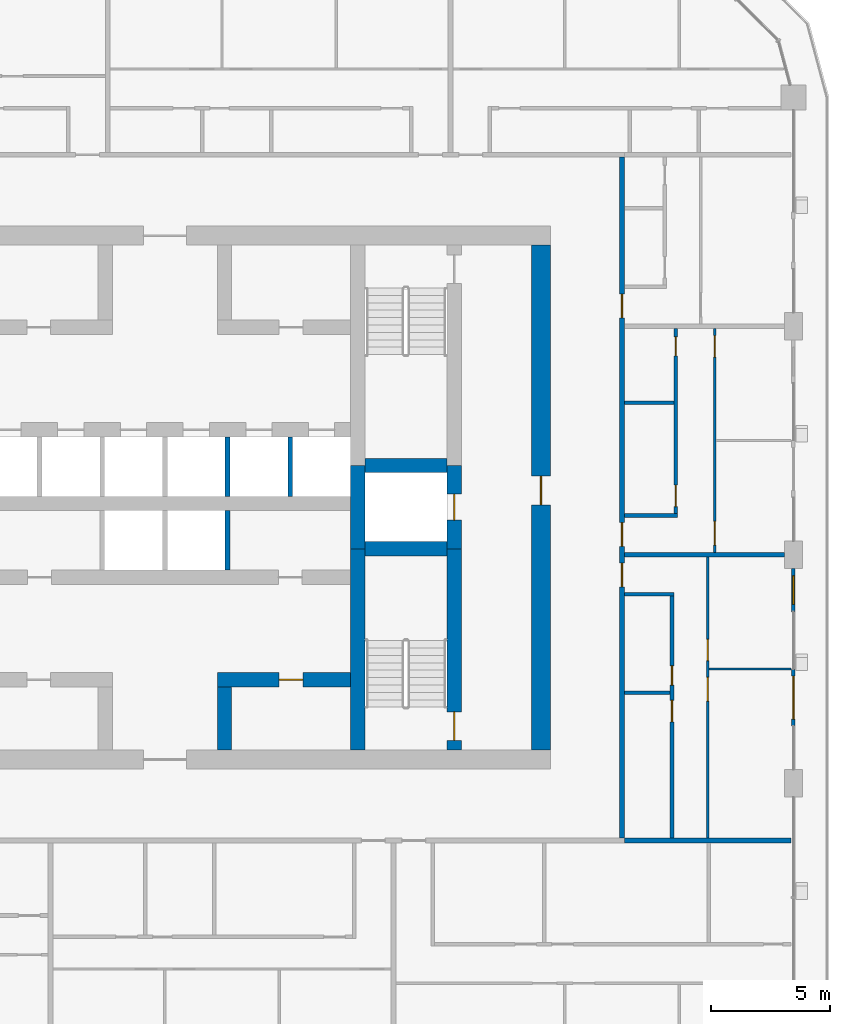
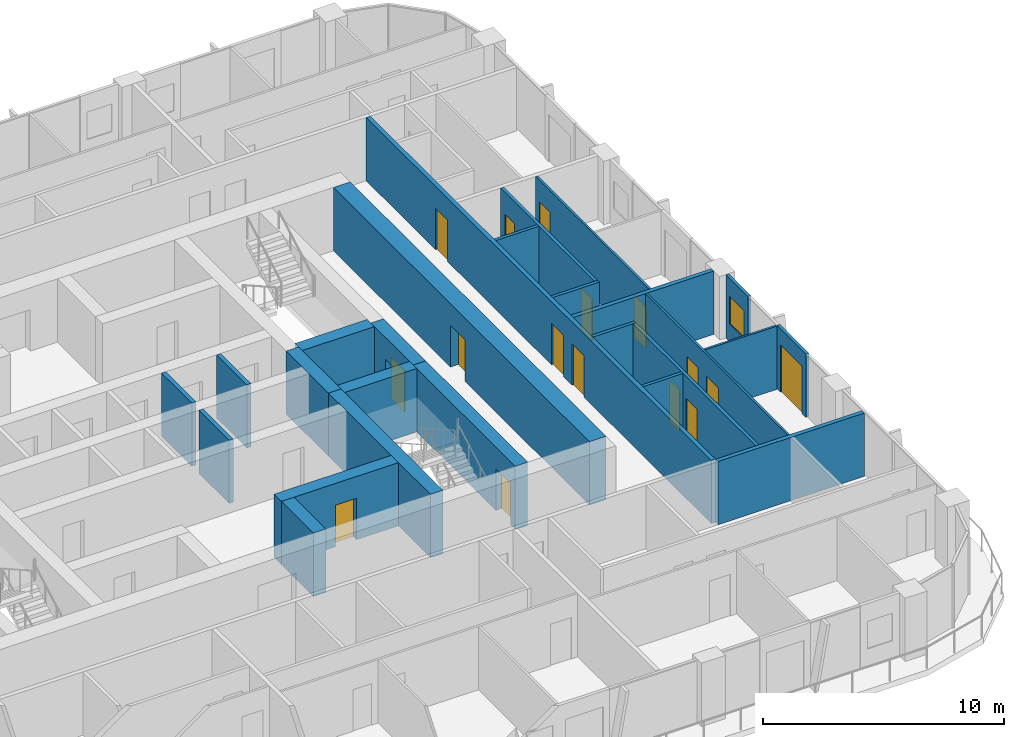
# One storey, part 12 of 22: 26 walls, 16 doors, 1 window, 17 openings.
"""IFC4 building model written with IfcOpenShell, lengths in metres."""

from ifc_helpers import new_model, si_unit, direction, frame, frame_2d, origin, place, context, subcontext, project, spatial, rectangle, extrude, material, layer, layer_set, type_object, element, fill, save


model = new_model("IFC4")

# Units and contexts
model_context = context("Model", 3, precision=1e-05, world=origin(), true_north=direction((0.0, 1.0)))
body_context = subcontext(model_context, "Body", "Model", "MODEL_VIEW")
ifc_project = project(units=[si_unit("LENGTHUNIT", "METRE"), si_unit("AREAUNIT", "SQUARE_METRE"), si_unit("VOLUMEUNIT", "CUBIC_METRE"), si_unit("PLANEANGLEUNIT", "RADIAN"), si_unit("MASSUNIT", "GRAM", prefix="KILO")], contexts=[model_context])

# Site, building, storey
site_placement = place(None, origin())
site = spatial("IfcSite", under=ifc_project, at=site_placement, CompositionType="ELEMENT")
building_placement = place(site_placement, origin())
building = spatial("IfcBuilding", under=site, at=building_placement, Name="Madar Terraces", CompositionType="ELEMENT")
storey_placement = place(building_placement, frame((0.0, 0.0, 152.5)))
storey = spatial("IfcBuildingStorey", under=building, at=storey_placement, Name="L39", CompositionType="ELEMENT", Elevation=152.5)

# Walls
ifc_material_1 = material(Name="Concrete C70/85", Category="concrete")
ifc_layer_1 = layer(ifc_material_1, 0.60009765625)
ifc_layer_set_1 = layer_set([ifc_layer_1], Name="Concrete C70/85 (CIW3 RC wall 600)")
wall_type_1 = type_object("IfcWallType", Name="CIW3 RC wall 600", PredefinedType="SHEAR", material=ifc_layer_set_1)
wall_1_placement = place(storey_placement, frame((39.300048828125, 15.800048828125, 0.0), z_axis=(0.0, 0.0, 1.0), x_axis=(0.0, 1.0, 0.0)))
element("IfcWall", 1, at=wall_1_placement, inside=storey, type_object=wall_type_1, Name="CORE SHAFT WALL", PredefinedType="SHEAR", context=body_context, shape_type="SweptSolid", body=[
    extrude(rectangle(XDim=8.449951171875, YDim=0.60009765625, at=frame_2d((4.22509765625, 0.0))), origin(), (0.0, 0.0, 1.0), 3.199951171875),
])
wall_2_placement = place(storey_placement, frame((39.300048828125, 24.25, 0.0), z_axis=(0.0, 0.0, 1.0), x_axis=(0.0, 1.0, 0.0)))
element("IfcWall", 2, at=wall_2_placement, inside=storey, type_object=wall_type_1, Name="CORE SHAFT WALL", PredefinedType="SHEAR", context=body_context, shape_type="SweptSolid", body=[
    extrude(rectangle(XDim=3.5, YDim=0.60009765625, at=frame_2d((1.75, 0.0))), origin(), (0.0, 0.0, 1.0), 3.199951171875),
])

# Wall, opening, door
wall_3_placement = place(storey_placement, frame((43.35009765625, 15.800048828125, 0.0), z_axis=(0.0, 0.0, 1.0), x_axis=(0.0, 1.0, 0.0)))
wall_3 = element("IfcWall", 3, at=wall_3_placement, inside=storey, type_object=wall_type_1, Name="CORE SHAFT WALL", PredefinedType="SHEAR", context=body_context, shape_type="SweptSolid", body=[
    extrude(rectangle(XDim=8.449951171875, YDim=0.60009765625, at=frame_2d((4.22509765625, 0.0))), origin(), (0.0, 0.0, 1.0), 3.199951171875),
])
opening_1_placement = place(wall_3_placement, frame((0.39990234375, 0.0, 0.0)))
opening_1 = element("IfcOpeningElement", 4, at=opening_1_placement, cuts=wall_3, Name="Opening SD1", PredefinedType="OPENING", context=body_context, shape_type="SweptSolid", body=[
    extrude(rectangle(XDim=1.199951171875, YDim=2.10009765625, at=frame_2d((0.60009765625, 1.050048828125))), frame((0.0, 0.31005859375, 0.0), z_axis=(0.0, -1.0, 0.0), x_axis=(1.0, 0.0, 0.0)), (0.0, 0.0, 1.0), 0.6201171875),
])
ifc_material_2 = material(Name="Steel door leaf", Category="steel")
door_type_1 = type_object("IfcDoorType", Name="Stair door 1200 x 2100", OperationType="NOTDEFINED", PredefinedType="DOOR", material=ifc_material_2)
door_1_placement = place(opening_1_placement, origin())
door_1 = element("IfcDoor", 5, at=door_1_placement, inside=storey, type_object=door_type_1, Name="STAIR DOOR", OperationType="SINGLE_SWING_RIGHT", OverallHeight=2.10009765625, OverallWidth=1.199951171875, PredefinedType="DOOR", context=body_context, shape_type="SweptSolid", body=[
    extrude(rectangle(XDim=1.199951171875, YDim=2.10009765625, at=frame_2d((0.60009765625, 1.050048828125))), frame((0.0, 0.02490234375, 0.0), z_axis=(0.0, -1.0, 0.0), x_axis=(1.0, 0.0, 0.0)), (0.0, 0.0, 1.0), 0.050048828125),
])
fill(opening_1, door_1)

wall_4_placement = place(storey_placement, frame((43.35009765625, 24.25, 0.0), z_axis=(0.0, 0.0, 1.0), x_axis=(0.0, 1.0, 0.0)))
wall_4 = element("IfcWall", 6, at=wall_4_placement, inside=storey, type_object=wall_type_1, Name="CORE SHAFT WALL", PredefinedType="SHEAR", context=body_context, shape_type="SweptSolid", body=[
    extrude(rectangle(XDim=3.5, YDim=0.60009765625, at=frame_2d((1.75, 0.0))), origin(), (0.0, 0.0, 1.0), 3.199951171875),
])
opening_2_placement = place(wall_4_placement, frame((1.199951171875, 0.0, 0.0)))
opening_2 = element("IfcOpeningElement", 7, at=opening_2_placement, cuts=wall_4, Name="Opening LD", PredefinedType="OPENING", context=body_context, shape_type="SweptSolid", body=[
    extrude(rectangle(XDim=1.10009765625, YDim=2.10009765625, at=frame_2d((0.550048828125, 1.050048828125))), frame((0.0, 0.31005859375, 0.0), z_axis=(0.0, -1.0, 0.0), x_axis=(1.0, 0.0, 0.0)), (0.0, 0.0, 1.0), 0.6201171875),
])
ifc_material_3 = material(Name="Stainless steel panel", Category="steel")
door_type_2 = type_object("IfcDoorType", Name="Lift landing door 1100 x 2100", OperationType="DOUBLE_DOOR_SLIDING", PredefinedType="DOOR", material=ifc_material_3)
door_2_placement = place(opening_2_placement, origin())
door_2 = element("IfcDoor", 8, at=door_2_placement, inside=storey, type_object=door_type_2, Name="LIFT LANDING DOOR", OperationType="DOUBLE_DOOR_SLIDING", OverallHeight=2.10009765625, OverallWidth=1.10009765625, PredefinedType="DOOR", context=body_context, shape_type="SweptSolid", body=[
    extrude(rectangle(XDim=1.10009765625, YDim=2.10009765625, at=frame_2d((0.550048828125, 1.050048828125))), frame((0.0, 0.02490234375, 0.0), z_axis=(0.0, -1.0, 0.0), x_axis=(1.0, 0.0, 0.0)), (0.0, 0.0, 1.0), 0.050048828125),
])
fill(opening_2, door_2)

# Walls
for number, where, z_axis, x_axis, name in (
    (9, (39.60009765625, 24.25, 0.0), (0.0, 0.0, 1.0), (1.0, 0.0, 0.0), "CORE SHAFT WALL"),
    (10, (39.60009765625, 27.75, 0.0), (0.0, 0.0, 1.0), (1.0, 0.0, 0.0), "CORE SHAFT WALL"),
):
    element("IfcWall", number, at=place(storey_placement, frame(where, z_axis=z_axis, x_axis=x_axis)), inside=storey, type_object=wall_type_1, Name=name, PredefinedType="SHEAR", context=body_context, shape_type="SweptSolid", body=[
        extrude(rectangle(XDim=3.449951171875, YDim=0.60009765625, at=frame_2d((1.72509765625, 0.0))), origin(), (0.0, 0.0, 1.0), 3.199951171875),
    ])

# Wall, opening, door
wall_5_placement = place(storey_placement, frame((33.39990234375, 18.75, 0.0), z_axis=(0.0, 0.0, 1.0), x_axis=(1.0, 0.0, 0.0)))
wall_5 = element("IfcWall", 11, at=wall_5_placement, inside=storey, type_object=wall_type_1, Name="CORE SHAFT WALL", PredefinedType="SHEAR", context=body_context, shape_type="SweptSolid", body=[
    extrude(rectangle(XDim=5.60009765625, YDim=0.60009765625, at=frame_2d((2.800048828125, 0.0))), origin(), (0.0, 0.0, 1.0), 3.199951171875),
])
opening_3_placement = place(wall_5_placement, frame((2.60009765625, 0.0, 0.0)))
opening_3 = element("IfcOpeningElement", 12, at=opening_3_placement, cuts=wall_5, Name="Opening KD2", PredefinedType="OPENING", context=body_context, shape_type="SweptSolid", body=[
    extrude(rectangle(XDim=1.0, YDim=2.10009765625, at=frame_2d((0.5, 1.050048828125))), frame((0.0, 0.31005859375, 0.0), z_axis=(0.0, -1.0, 0.0), x_axis=(1.0, 0.0, 0.0)), (0.0, 0.0, 1.0), 0.6201171875),
])
ifc_material_4 = material(Name="Steel door leaf", Category="steel")
door_type_3 = type_object("IfcDoorType", Name="Service room door 1000 x 2100", OperationType="NOTDEFINED", PredefinedType="DOOR", material=ifc_material_4)
door_3_placement = place(opening_3_placement, origin())
door_3 = element("IfcDoor", 13, at=door_3_placement, inside=storey, type_object=door_type_3, Name="SERVICE ROOM DOOR", OperationType="SINGLE_SWING_LEFT", OverallHeight=2.10009765625, OverallWidth=1.0, PredefinedType="DOOR", context=body_context, shape_type="SweptSolid", body=[
    extrude(rectangle(XDim=1.0, YDim=2.10009765625, at=frame_2d((0.5, 1.050048828125))), frame((0.0, 0.02490234375, 0.0), z_axis=(0.0, -1.0, 0.0), x_axis=(1.0, 0.0, 0.0)), (0.0, 0.0, 1.0), 0.050048828125),
])
fill(opening_3, door_3)

# Wall
wall_6_placement = place(storey_placement, frame((33.699951171875, 15.800048828125, 0.0), z_axis=(0.0, 0.0, 1.0), x_axis=(0.0, 1.0, 0.0)))
element("IfcWall", 14, at=wall_6_placement, inside=storey, type_object=wall_type_1, Name="CORE SHAFT WALL", PredefinedType="SHEAR", context=body_context, shape_type="SweptSolid", body=[
    extrude(rectangle(XDim=2.64990234375, YDim=0.60009765625, at=frame_2d((1.324951171875, 0.0))), origin(), (0.0, 0.0, 1.0), 3.199951171875),
])

# Wall, opening, door
ifc_material_5 = material(Name="Concrete C70/85", Category="concrete")
ifc_layer_2 = layer(ifc_material_5, 0.800048828125)
ifc_layer_set_2 = layer_set([ifc_layer_2], Name="Concrete C70/85 (CRW3 RC wall 800)")
wall_type_2 = type_object("IfcWallType", Name="CRW3 RC wall 800", PredefinedType="SHEAR", material=ifc_layer_set_2)
wall_7_placement = place(storey_placement, frame((47.0, 15.800048828125, 0.0), z_axis=(0.0, 0.0, 1.0), x_axis=(0.0, 1.0, 0.0)))
wall_7 = element("IfcWall", 15, at=wall_7_placement, inside=storey, type_object=wall_type_2, Name="CORE OUTER WALL", PredefinedType="SHEAR", context=body_context, shape_type="SweptSolid", body=[
    extrude(rectangle(XDim=21.199951171875, YDim=0.800048828125, at=frame_2d((10.60009765625, 0.0))), origin(), (0.0, 0.0, 1.0), 3.199951171875),
])
opening_4_placement = place(wall_7_placement, frame((10.300048828125, 0.0, 0.0)))
opening_4 = element("IfcOpeningElement", 16, at=opening_4_placement, cuts=wall_7, Name="Opening SD1", PredefinedType="OPENING", context=body_context, shape_type="SweptSolid", body=[
    extrude(rectangle(XDim=1.199951171875, YDim=2.10009765625, at=frame_2d((0.60009765625, 1.050048828125))), frame((0.0, 0.409912109375, 0.0), z_axis=(0.0, -1.0, 0.0), x_axis=(1.0, 0.0, 0.0)), (0.0, 0.0, 1.0), 0.820068359375),
])
door_4_placement = place(opening_4_placement, origin())
door_4 = element("IfcDoor", 17, at=door_4_placement, inside=storey, type_object=door_type_1, Name="STAIR DOOR", OperationType="SINGLE_SWING_LEFT", OverallHeight=2.10009765625, OverallWidth=1.199951171875, PredefinedType="DOOR", context=body_context, shape_type="SweptSolid", body=[
    extrude(rectangle(XDim=1.199951171875, YDim=2.10009765625, at=frame_2d((0.60009765625, 1.050048828125))), frame((0.0, 0.02490234375, 0.0), z_axis=(0.0, -1.0, 0.0), x_axis=(1.0, 0.0, 0.0)), (0.0, 0.0, 1.0), 0.050048828125),
])
fill(opening_4, door_4)

# Walls
ifc_material_6 = material(Name="Concrete C40/50", Category="concrete")
ifc_layer_3 = layer(ifc_material_6, 0.199951171875)
ifc_layer_set_3 = layer_set([ifc_layer_3], Name="Core shaft dividing wall 200 C40/50")
wall_type_3 = type_object("IfcWallType", Name="Core shaft dividing wall 200 C40/50", PredefinedType="SOLIDWALL", material=ifc_layer_set_3)
for number, where, z_axis, x_axis, name in (
    (18, (33.833251953125, 23.35009765625, 0.0), (0.0, 0.0, 1.0), (0.0, 1.0, 0.0), "SHAFT DIVIDING WALL"),
    (19, (33.833251953125, 26.449951171875, 0.0), (0.0, 0.0, 1.0), (0.0, 1.0, 0.0), "SHAFT DIVIDING WALL"),
    (20, (36.466552734375, 26.449951171875, 0.0), (0.0, 0.0, 1.0), (0.0, 1.0, 0.0), "SHAFT DIVIDING WALL"),
):
    element("IfcWall", number, at=place(storey_placement, frame(where, z_axis=z_axis, x_axis=x_axis)), inside=storey, type_object=wall_type_3, Name=name, PredefinedType="SOLIDWALL", context=body_context, shape_type="SweptSolid", body=[
        extrude(rectangle(XDim=2.5, YDim=0.199951171875, at=frame_2d((1.25, 0.0))), origin(), (0.0, 0.0, 1.0), 3.199951171875),
    ])

# Wall, opening, door
ifc_material_7 = material(Name="Aluminium composite panel, black, over insulated backing", Category="aluminium")
ifc_layer_4 = layer(ifc_material_7, 0.14990234375)
ifc_layer_set_4 = layer_set([ifc_layer_4], Name="Facade bay panel 150")
wall_type_4 = type_object("IfcWallType", Name="Facade bay panel 150", PredefinedType="SOLIDWALL", material=ifc_layer_set_4)
wall_8_placement = place(storey_placement, frame((57.60009765625, 16.800048828125, 0.0), z_axis=(0.0, 0.0, 1.0), x_axis=(0.0, 1.0, 0.0)))
wall_8 = element("IfcWall", 21, at=wall_8_placement, inside=storey, type_object=wall_type_4, Name="Facade bay panel", PredefinedType="SOLIDWALL", context=body_context, shape_type="SweptSolid", body=[
    extrude(rectangle(XDim=2.39990234375, YDim=0.14990234375, at=frame_2d((1.199951171875, 0.0))), origin(), (0.0, 0.0, 1.0), 3.199951171875),
])
opening_5_placement = place(wall_8_placement, frame((0.300048828125, 0.0, 0.0)))
opening_5 = element("IfcOpeningElement", 22, at=opening_5_placement, cuts=wall_8, Name="Opening ED1", PredefinedType="OPENING", context=body_context, shape_type="SweptSolid", body=[
    extrude(rectangle(XDim=1.800048828125, YDim=2.39990234375, at=frame_2d((0.89990234375, 1.199951171875))), frame((0.0, 0.0849609375, 0.0), z_axis=(0.0, -1.0, 0.0), x_axis=(1.0, 0.0, 0.0)), (0.0, 0.0, 1.0), 0.169921875),
])
ifc_material_8 = material(Name="Glass, clear, with black aluminium frame", Category="aluminium")
door_type_4 = type_object("IfcDoorType", Name="Balcony and terrace sliding door 1800 x 2400", OperationType="SLIDING_TO_LEFT", PredefinedType="DOOR", material=ifc_material_8)
door_5_placement = place(opening_5_placement, origin())
door_5 = element("IfcDoor", 23, at=door_5_placement, inside=storey, type_object=door_type_4, Name="Balcony door", OperationType="SLIDING_TO_LEFT", OverallHeight=2.39990234375, OverallWidth=1.800048828125, PredefinedType="DOOR", context=body_context, shape_type="SweptSolid", body=[
    extrude(rectangle(XDim=1.800048828125, YDim=2.39990234375, at=frame_2d((0.89990234375, 1.199951171875))), frame((0.0, 0.02490234375, 0.0), z_axis=(0.0, -1.0, 0.0), x_axis=(1.0, 0.0, 0.0)), (0.0, 0.0, 1.0), 0.050048828125),
])
fill(opening_5, door_5)

# Wall, opening, window
wall_9_placement = place(storey_placement, frame((57.60009765625, 21.60009765625, 0.0), z_axis=(0.0, 0.0, 1.0), x_axis=(0.0, 1.0, 0.0)))
wall_9 = element("IfcWall", 24, at=wall_9_placement, inside=storey, type_object=wall_type_4, Name="Facade bay panel", PredefinedType="SOLIDWALL", context=body_context, shape_type="SweptSolid", body=[
    extrude(rectangle(XDim=1.824951171875, YDim=0.14990234375, at=frame_2d((0.91259765625, 0.0))), origin(), (0.0, 0.0, 1.0), 3.199951171875),
])
opening_6_placement = place(wall_9_placement, frame((0.3125, 0.0, 0.89990234375)))
opening_6 = element("IfcOpeningElement", 25, at=opening_6_placement, cuts=wall_9, Name="Opening W1", PredefinedType="OPENING", context=body_context, shape_type="SweptSolid", body=[
    extrude(rectangle(XDim=1.199951171875, YDim=1.39990234375, at=frame_2d((0.60009765625, 0.699951171875))), frame((0.0, 0.0849609375, 0.0), z_axis=(0.0, -1.0, 0.0), x_axis=(1.0, 0.0, 0.0)), (0.0, 0.0, 1.0), 0.169921875),
])
ifc_material_9 = material(Name="Glass, clear, with black aluminium frame", Category="aluminium")
window_type = type_object("IfcWindowType", Name="Vent window 1200 x 1400", PartitioningType="SINGLE_PANEL", PredefinedType="WINDOW", material=ifc_material_9)
window_placement = place(opening_6_placement, origin())
window = element("IfcWindow", 26, at=window_placement, inside=storey, type_object=window_type, Name="Operable vent window", OverallHeight=1.39990234375, OverallWidth=1.199951171875, PartitioningType="SINGLE_PANEL", PredefinedType="WINDOW", context=body_context, shape_type="SweptSolid", body=[
    extrude(rectangle(XDim=1.199951171875, YDim=1.39990234375, at=frame_2d((0.60009765625, 0.699951171875))), frame((0.0, 0.030029296875, 0.0), z_axis=(0.0, -1.0, 0.0), x_axis=(1.0, 0.0, 0.0)), (0.0, 0.0, 1.0), 0.06005859375),
])
fill(opening_6, window)

# Wall
ifc_material_10 = material(Name="Gypsum board on steel studs", Category="steel")
ifc_layer_5 = layer(ifc_material_10, 0.10009765625)
ifc_layer_set_5 = layer_set([ifc_layer_5], Name="Flat partition 100")
wall_type_5 = type_object("IfcWallType", Name="Flat partition 100", PredefinedType="PARTITIONING", material=ifc_layer_set_5)
wall_10_placement = place(storey_placement, frame((54.050048828125, 19.199951171875, 0.0), z_axis=(0.0, 0.0, 1.0), x_axis=(1.0, 0.0, 0.0)))
element("IfcWall", 27, at=wall_10_placement, inside=storey, type_object=wall_type_5, Name="Flat partition 100", PredefinedType="PARTITIONING", context=body_context, shape_type="SweptSolid", body=[
    extrude(rectangle(XDim=3.449951171875, YDim=0.10009765625, at=frame_2d((1.72509765625, 0.0))), origin(), (0.0, 0.0, 1.0), 3.199951171875),
])

# Wall, openings, doors
wall_11_placement = place(storey_placement, frame((54.0, 23.89990234375, 0.0), z_axis=(0.0, 0.0, 1.0), x_axis=(0.0, -1.0, 0.0)))
wall_11 = element("IfcWall", 28, at=wall_11_placement, inside=storey, type_object=wall_type_5, Name="Flat partition 100", PredefinedType="PARTITIONING", context=body_context, shape_type="SweptSolid", body=[
    extrude(rectangle(XDim=11.7998046875, YDim=0.10009765625, at=frame_2d((5.89990234375, 0.0))), origin(), (0.0, 0.0, 1.0), 3.199951171875),
])
opening_7_placement = place(wall_11_placement, frame((3.449951171875, 0.0, 0.0)))
opening_7 = element("IfcOpeningElement", 29, at=opening_7_placement, cuts=wall_11, Name="Opening D2", PredefinedType="OPENING", context=body_context, shape_type="SweptSolid", body=[
    extrude(rectangle(XDim=0.89990234375, YDim=2.10009765625, at=frame_2d((0.449951171875, 1.050048828125))), frame((0.0, 0.06005859375, 0.0), z_axis=(0.0, -1.0, 0.0), x_axis=(1.0, 0.0, 0.0)), (0.0, 0.0, 1.0), 0.1201171875),
])
opening_8_placement = place(wall_11_placement, frame((5.050048828125, 0.0, 0.0)))
opening_8 = element("IfcOpeningElement", 30, at=opening_8_placement, cuts=wall_11, Name="Opening D3", PredefinedType="OPENING", context=body_context, shape_type="SweptSolid", body=[
    extrude(rectangle(XDim=1.0, YDim=2.10009765625, at=frame_2d((0.5, 1.050048828125))), frame((0.0, 0.06005859375, 0.0), z_axis=(0.0, -1.0, 0.0), x_axis=(1.0, 0.0, 0.0)), (0.0, 0.0, 1.0), 0.1201171875),
])
ifc_material_11 = material(Name="Timber door leaf", Category="wood")
door_type_5 = type_object("IfcDoorType", Name="Flat living room door 1000", OperationType="NOTDEFINED", PredefinedType="DOOR", material=ifc_material_11)
door_6_placement = place(opening_8_placement, origin())
door_6 = element("IfcDoor", 31, at=door_6_placement, inside=storey, type_object=door_type_5, Name="Flat living room door 1000", OperationType="SINGLE_SWING_LEFT", OverallHeight=2.10009765625, OverallWidth=1.0, PredefinedType="DOOR", context=body_context, shape_type="SweptSolid", body=[
    extrude(rectangle(XDim=1.0, YDim=2.10009765625, at=frame_2d((0.5, 1.050048828125))), frame((0.0, 0.02490234375, 0.0), z_axis=(0.0, -1.0, 0.0), x_axis=(1.0, 0.0, 0.0)), (0.0, 0.0, 1.0), 0.050048828125),
])
fill(opening_8, door_6)
ifc_material_12 = material(Name="Timber door leaf", Category="wood")
door_type_6 = type_object("IfcDoorType", Name="Flat room door 900", OperationType="NOTDEFINED", PredefinedType="DOOR", material=ifc_material_12)
door_7_placement = place(opening_7_placement, origin())
door_7 = element("IfcDoor", 32, at=door_7_placement, inside=storey, type_object=door_type_6, Name="Flat room door 900", OperationType="SINGLE_SWING_RIGHT", OverallHeight=2.10009765625, OverallWidth=0.89990234375, PredefinedType="DOOR", context=body_context, shape_type="SweptSolid", body=[
    extrude(rectangle(XDim=0.89990234375, YDim=2.10009765625, at=frame_2d((0.449951171875, 1.050048828125))), frame((0.0, 0.02490234375, 0.0), z_axis=(0.0, -1.0, 0.0), x_axis=(1.0, 0.0, 0.0)), (0.0, 0.0, 1.0), 0.050048828125),
])
fill(opening_7, door_7)

wall_12_placement = place(storey_placement, frame((54.300048828125, 33.5, 0.0), z_axis=(0.0, 0.0, 1.0), x_axis=(0.0, -1.0, 0.0)))
wall_12 = element("IfcWall", 33, at=wall_12_placement, inside=storey, type_object=wall_type_5, Name="Flat partition 100", PredefinedType="PARTITIONING", context=body_context, shape_type="SweptSolid", body=[
    extrude(rectangle(XDim=9.39990234375, YDim=0.10009765625, at=frame_2d((4.699951171875, 0.0))), origin(), (0.0, 0.0, 1.0), 3.199951171875),
])
opening_9_placement = place(wall_12_placement, frame((8.10009765625, 0.0, 0.0)))
opening_9 = element("IfcOpeningElement", 34, at=opening_9_placement, cuts=wall_12, Name="Opening D3", PredefinedType="OPENING", context=body_context, shape_type="SweptSolid", body=[
    extrude(rectangle(XDim=1.0, YDim=2.10009765625, at=frame_2d((0.5, 1.050048828125))), frame((0.0, 0.06005859375, 0.0), z_axis=(0.0, -1.0, 0.0), x_axis=(1.0, 0.0, 0.0)), (0.0, 0.0, 1.0), 0.1201171875),
])
opening_10_placement = place(wall_12_placement, frame((0.300048828125, 0.0, 0.0)))
opening_10 = element("IfcOpeningElement", 35, at=opening_10_placement, cuts=wall_12, Name="Opening D2", PredefinedType="OPENING", context=body_context, shape_type="SweptSolid", body=[
    extrude(rectangle(XDim=0.89990234375, YDim=2.10009765625, at=frame_2d((0.449951171875, 1.050048828125))), frame((0.0, 0.06005859375, 0.0), z_axis=(0.0, -1.0, 0.0), x_axis=(1.0, 0.0, 0.0)), (0.0, 0.0, 1.0), 0.1201171875),
])
door_8_placement = place(opening_9_placement, origin())
door_8 = element("IfcDoor", 36, at=door_8_placement, inside=storey, type_object=door_type_5, Name="Flat living room door 1000", OperationType="SINGLE_SWING_RIGHT", OverallHeight=2.10009765625, OverallWidth=1.0, PredefinedType="DOOR", context=body_context, shape_type="SweptSolid", body=[
    extrude(rectangle(XDim=1.0, YDim=2.10009765625, at=frame_2d((0.5, 1.050048828125))), frame((0.0, 0.02490234375, 0.0), z_axis=(0.0, -1.0, 0.0), x_axis=(1.0, 0.0, 0.0)), (0.0, 0.0, 1.0), 0.050048828125),
])
fill(opening_9, door_8)
door_9_placement = place(opening_10_placement, origin())
door_9 = element("IfcDoor", 37, at=door_9_placement, inside=storey, type_object=door_type_6, Name="Flat room door 900", OperationType="SINGLE_SWING_LEFT", OverallHeight=2.10009765625, OverallWidth=0.89990234375, PredefinedType="DOOR", context=body_context, shape_type="SweptSolid", body=[
    extrude(rectangle(XDim=0.89990234375, YDim=2.10009765625, at=frame_2d((0.449951171875, 1.050048828125))), frame((0.0, 0.02490234375, 0.0), z_axis=(0.0, -1.0, 0.0), x_axis=(1.0, 0.0, 0.0)), (0.0, 0.0, 1.0), 0.050048828125),
])
fill(opening_10, door_9)

ifc_material_13 = material(Name="Lightweight blockwork", Category="masonry")
ifc_layer_6 = layer(ifc_material_13, 0.199951171875)
ifc_layer_set_6 = layer_set([ifc_layer_6], Name="Flat party and entrance wall 200")
wall_type_6 = type_object("IfcWallType", Name="Flat party and entrance wall 200", PredefinedType="PARTITIONING", material=ifc_layer_set_6)
wall_13_placement = place(storey_placement, frame((50.39990234375, 40.699951171875, 0.0), z_axis=(0.0, 0.0, 1.0), x_axis=(0.0, -1.0, 0.0)))
wall_13 = element("IfcWall", 38, at=wall_13_placement, inside=storey, type_object=wall_type_6, Name="Flat party and entrance wall 200", PredefinedType="PARTITIONING", context=body_context, shape_type="SweptSolid", body=[
    extrude(rectangle(XDim=28.599853515625, YDim=0.199951171875, at=frame_2d((14.2998046875, 0.0))), origin(), (0.0, 0.0, 1.0), 3.199951171875),
])
opening_11_placement = place(wall_13_placement, frame((17.050048828125, 0.0, 0.0)))
opening_11 = element("IfcOpeningElement", 39, at=opening_11_placement, cuts=wall_13, Name="Opening D1", PredefinedType="OPENING", context=body_context, shape_type="SweptSolid", body=[
    extrude(rectangle(XDim=1.0, YDim=2.10009765625, at=frame_2d((0.5, 1.050048828125))), frame((0.0, 0.10986328125, 0.0), z_axis=(0.0, -1.0, 0.0), x_axis=(1.0, 0.0, 0.0)), (0.0, 0.0, 1.0), 0.219970703125),
])
opening_12_placement = place(wall_13_placement, frame((15.35009765625, 0.0, 0.0)))
opening_12 = element("IfcOpeningElement", 40, at=opening_12_placement, cuts=wall_13, Name="Opening D1", PredefinedType="OPENING", context=body_context, shape_type="SweptSolid", body=[
    extrude(rectangle(XDim=1.0, YDim=2.10009765625, at=frame_2d((0.5, 1.050048828125))), frame((0.0, 0.10986328125, 0.0), z_axis=(0.0, -1.0, 0.0), x_axis=(1.0, 0.0, 0.0)), (0.0, 0.0, 1.0), 0.219970703125),
])
opening_13_placement = place(wall_13_placement, frame((5.75, 0.0, 0.0)))
opening_13 = element("IfcOpeningElement", 41, at=opening_13_placement, cuts=wall_13, Name="Opening D1", PredefinedType="OPENING", context=body_context, shape_type="SweptSolid", body=[
    extrude(rectangle(XDim=1.0, YDim=2.10009765625, at=frame_2d((0.5, 1.050048828125))), frame((0.0, 0.10986328125, 0.0), z_axis=(0.0, -1.0, 0.0), x_axis=(1.0, 0.0, 0.0)), (0.0, 0.0, 1.0), 0.219970703125),
])
ifc_material_14 = material(Name="Timber fire door leaf", Category="wood")
door_type_7 = type_object("IfcDoorType", Name="Flat entrance door 1000 FD30S", OperationType="NOTDEFINED", PredefinedType="DOOR", material=ifc_material_14)
door_10_placement = place(opening_11_placement, origin())
door_10 = element("IfcDoor", 42, at=door_10_placement, inside=storey, type_object=door_type_7, Name="Flat entrance door 1000 FD30S", OperationType="SINGLE_SWING_LEFT", OverallHeight=2.10009765625, OverallWidth=1.0, PredefinedType="DOOR", context=body_context, shape_type="SweptSolid", body=[
    extrude(rectangle(XDim=1.0, YDim=2.10009765625, at=frame_2d((0.5, 1.050048828125))), frame((0.0, 0.02490234375, 0.0), z_axis=(0.0, -1.0, 0.0), x_axis=(1.0, 0.0, 0.0)), (0.0, 0.0, 1.0), 0.050048828125),
])
fill(opening_11, door_10)
door_11_placement = place(opening_12_placement, origin())
door_11 = element("IfcDoor", 43, at=door_11_placement, inside=storey, type_object=door_type_7, Name="Flat entrance door 1000 FD30S", OperationType="SINGLE_SWING_RIGHT", OverallHeight=2.10009765625, OverallWidth=1.0, PredefinedType="DOOR", context=body_context, shape_type="SweptSolid", body=[
    extrude(rectangle(XDim=1.0, YDim=2.10009765625, at=frame_2d((0.5, 1.050048828125))), frame((0.0, 0.02490234375, 0.0), z_axis=(0.0, -1.0, 0.0), x_axis=(1.0, 0.0, 0.0)), (0.0, 0.0, 1.0), 0.050048828125),
])
fill(opening_12, door_11)
door_12_placement = place(opening_13_placement, origin())
door_12 = element("IfcDoor", 44, at=door_12_placement, inside=storey, type_object=door_type_7, Name="Flat entrance door 1000 FD30S", OperationType="SINGLE_SWING_RIGHT", OverallHeight=2.10009765625, OverallWidth=1.0, PredefinedType="DOOR", context=body_context, shape_type="SweptSolid", body=[
    extrude(rectangle(XDim=1.0, YDim=2.10009765625, at=frame_2d((0.5, 1.050048828125))), frame((0.0, 0.02490234375, 0.0), z_axis=(0.0, -1.0, 0.0), x_axis=(1.0, 0.0, 0.0)), (0.0, 0.0, 1.0), 0.050048828125),
])
fill(opening_13, door_12)

# Walls
wall_14_placement = place(storey_placement, frame((50.5, 12.0, 0.0), z_axis=(0.0, 0.0, 1.0), x_axis=(1.0, 0.0, 0.0)))
element("IfcWall", 45, at=wall_14_placement, inside=storey, type_object=wall_type_6, Name="Flat party and entrance wall 200", PredefinedType="PARTITIONING", context=body_context, shape_type="SweptSolid", body=[
    extrude(rectangle(XDim=7.0, YDim=0.199951171875, at=frame_2d((3.5, 0.0))), origin(), (0.0, 0.0, 1.0), 3.199951171875),
])
wall_15_placement = place(storey_placement, frame((50.5, 24.0, 0.0), z_axis=(0.0, 0.0, 1.0), x_axis=(1.0, 0.0, 0.0)))
element("IfcWall", 46, at=wall_15_placement, inside=storey, type_object=wall_type_6, Name="Flat party and entrance wall 200", PredefinedType="PARTITIONING", context=body_context, shape_type="SweptSolid", body=[
    extrude(rectangle(XDim=6.72509765625, YDim=0.199951171875, at=frame_2d((3.362548828125, 0.0))), origin(), (0.0, 0.0, 1.0), 3.199951171875),
])
ifc_material_15 = material(Name="Lightweight blockwork", Category="masonry")
ifc_layer_7 = layer(ifc_material_15, 0.14990234375)
ifc_layer_set_7 = layer_set([ifc_layer_7], Name="Flat wet-room partition 150")
wall_type_7 = type_object("IfcWallType", Name="Flat wet-room partition 150", PredefinedType="PARTITIONING", material=ifc_layer_set_7)
wall_16_placement = place(storey_placement, frame((50.5, 18.205078125, 0.0), z_axis=(0.0, 0.0, 1.0), x_axis=(1.0, 0.0, 0.0)))
element("IfcWall", 47, at=wall_16_placement, inside=storey, type_object=wall_type_7, Name="Flat wet-room partition 150", PredefinedType="PARTITIONING", context=body_context, shape_type="SweptSolid", body=[
    extrude(rectangle(XDim=1.925048828125, YDim=0.14990234375, at=frame_2d((0.96240234375, 0.0))), origin(), (0.0, 0.0, 1.0), 3.199951171875),
])
wall_17_placement = place(storey_placement, frame((50.5, 22.35009765625, 0.0), z_axis=(0.0, 0.0, 1.0), x_axis=(1.0, 0.0, 0.0)))
element("IfcWall", 48, at=wall_17_placement, inside=storey, type_object=wall_type_7, Name="Flat wet-room partition 150", PredefinedType="PARTITIONING", context=body_context, shape_type="SweptSolid", body=[
    extrude(rectangle(XDim=2.074951171875, YDim=0.14990234375, at=frame_2d((1.03759765625, 0.0))), origin(), (0.0, 0.0, 1.0), 3.199951171875),
])

# Wall, openings, doors
wall_18_placement = place(storey_placement, frame((52.5, 12.10009765625, 0.0), z_axis=(0.0, 0.0, 1.0), x_axis=(0.0, 1.0, 0.0)))
wall_18 = element("IfcWall", 49, at=wall_18_placement, inside=storey, type_object=wall_type_7, Name="Flat wet-room partition 150", PredefinedType="PARTITIONING", context=body_context, shape_type="SweptSolid", body=[
    extrude(rectangle(XDim=10.1748046875, YDim=0.14990234375, at=frame_2d((5.08740234375, 0.0))), origin(), (0.0, 0.0, 1.0), 3.199951171875),
])
opening_14_placement = place(wall_18_placement, frame((6.429931640625, 0.0, 0.0)))
opening_14 = element("IfcOpeningElement", 50, at=opening_14_placement, cuts=wall_18, Name="Opening D4", PredefinedType="OPENING", context=body_context, shape_type="SweptSolid", body=[
    extrude(rectangle(XDim=0.800048828125, YDim=2.10009765625, at=frame_2d((0.39990234375, 1.050048828125))), frame((0.0, 0.0849609375, 0.0), z_axis=(0.0, -1.0, 0.0), x_axis=(1.0, 0.0, 0.0)), (0.0, 0.0, 1.0), 0.169921875),
])
opening_15_placement = place(wall_18_placement, frame((4.8798828125, 0.0, 0.0)))
opening_15 = element("IfcOpeningElement", 51, at=opening_15_placement, cuts=wall_18, Name="Opening D2", PredefinedType="OPENING", context=body_context, shape_type="SweptSolid", body=[
    extrude(rectangle(XDim=0.89990234375, YDim=2.10009765625, at=frame_2d((0.449951171875, 1.050048828125))), frame((0.0, 0.0849609375, 0.0), z_axis=(0.0, -1.0, 0.0), x_axis=(1.0, 0.0, 0.0)), (0.0, 0.0, 1.0), 0.169921875),
])
ifc_material_16 = material(Name="Timber door leaf", Category="wood")
door_type_8 = type_object("IfcDoorType", Name="Flat bathroom door 800", OperationType="NOTDEFINED", PredefinedType="DOOR", material=ifc_material_16)
door_13_placement = place(opening_14_placement, origin())
door_13 = element("IfcDoor", 52, at=door_13_placement, inside=storey, type_object=door_type_8, Name="Flat bathroom door 800", OperationType="SINGLE_SWING_LEFT", OverallHeight=2.10009765625, OverallWidth=0.800048828125, PredefinedType="DOOR", context=body_context, shape_type="SweptSolid", body=[
    extrude(rectangle(XDim=0.800048828125, YDim=2.10009765625, at=frame_2d((0.39990234375, 1.050048828125))), frame((0.0, 0.02490234375, 0.0), z_axis=(0.0, -1.0, 0.0), x_axis=(1.0, 0.0, 0.0)), (0.0, 0.0, 1.0), 0.050048828125),
])
fill(opening_14, door_13)
door_14_placement = place(opening_15_placement, origin())
door_14 = element("IfcDoor", 53, at=door_14_placement, inside=storey, type_object=door_type_6, Name="Flat room door 900", OperationType="SINGLE_SWING_RIGHT", OverallHeight=2.10009765625, OverallWidth=0.89990234375, PredefinedType="DOOR", context=body_context, shape_type="SweptSolid", body=[
    extrude(rectangle(XDim=0.89990234375, YDim=2.10009765625, at=frame_2d((0.449951171875, 1.050048828125))), frame((0.0, 0.02490234375, 0.0), z_axis=(0.0, -1.0, 0.0), x_axis=(1.0, 0.0, 0.0)), (0.0, 0.0, 1.0), 0.050048828125),
])
fill(opening_15, door_14)

# Walls
wall_19_placement = place(storey_placement, frame((50.5, 30.389892578125, 0.0), z_axis=(0.0, 0.0, 1.0), x_axis=(1.0, 0.0, 0.0)))
element("IfcWall", 54, at=wall_19_placement, inside=storey, type_object=wall_type_7, Name="Flat wet-room partition 150", PredefinedType="PARTITIONING", context=body_context, shape_type="SweptSolid", body=[
    extrude(rectangle(XDim=2.074951171875, YDim=0.14990234375, at=frame_2d((1.03759765625, 0.0))), origin(), (0.0, 0.0, 1.0), 3.199951171875),
])
wall_20_placement = place(storey_placement, frame((50.5, 25.64990234375, 0.0), z_axis=(0.0, 0.0, 1.0), x_axis=(1.0, 0.0, 0.0)))
element("IfcWall", 55, at=wall_20_placement, inside=storey, type_object=wall_type_7, Name="Flat wet-room partition 150", PredefinedType="PARTITIONING", context=body_context, shape_type="SweptSolid", body=[
    extrude(rectangle(XDim=2.22509765625, YDim=0.14990234375, at=frame_2d((1.112548828125, 0.0))), origin(), (0.0, 0.0, 1.0), 3.199951171875),
])

# Wall, openings, doors
wall_21_placement = place(storey_placement, frame((52.64990234375, 25.72509765625, 0.0), z_axis=(0.0, 0.0, 1.0), x_axis=(0.0, 1.0, 0.0)))
wall_21 = element("IfcWall", 56, at=wall_21_placement, inside=storey, type_object=wall_type_7, Name="Flat wet-room partition 150", PredefinedType="PARTITIONING", context=body_context, shape_type="SweptSolid", body=[
    extrude(rectangle(XDim=7.77490234375, YDim=0.14990234375, at=frame_2d((3.887451171875, 0.0))), origin(), (0.0, 0.0, 1.0), 3.199951171875),
])
opening_16_placement = place(wall_21_placement, frame((0.300048828125, 0.0, 0.0)))
opening_16 = element("IfcOpeningElement", 57, at=opening_16_placement, cuts=wall_21, Name="Opening D2", PredefinedType="OPENING", context=body_context, shape_type="SweptSolid", body=[
    extrude(rectangle(XDim=0.89990234375, YDim=2.10009765625, at=frame_2d((0.449951171875, 1.050048828125))), frame((0.0, 0.0849609375, 0.0), z_axis=(0.0, -1.0, 0.0), x_axis=(1.0, 0.0, 0.0)), (0.0, 0.0, 1.0), 0.169921875),
])
opening_17_placement = place(wall_21_placement, frame((6.625, 0.0, 0.0)))
opening_17 = element("IfcOpeningElement", 58, at=opening_17_placement, cuts=wall_21, Name="Opening D4", PredefinedType="OPENING", context=body_context, shape_type="SweptSolid", body=[
    extrude(rectangle(XDim=0.800048828125, YDim=2.10009765625, at=frame_2d((0.39990234375, 1.050048828125))), frame((0.0, 0.0849609375, 0.0), z_axis=(0.0, -1.0, 0.0), x_axis=(1.0, 0.0, 0.0)), (0.0, 0.0, 1.0), 0.169921875),
])
door_15_placement = place(opening_17_placement, origin())
door_15 = element("IfcDoor", 59, at=door_15_placement, inside=storey, type_object=door_type_8, Name="Flat bathroom door 800", OperationType="SINGLE_SWING_RIGHT", OverallHeight=2.10009765625, OverallWidth=0.800048828125, PredefinedType="DOOR", context=body_context, shape_type="SweptSolid", body=[
    extrude(rectangle(XDim=0.800048828125, YDim=2.10009765625, at=frame_2d((0.39990234375, 1.050048828125))), frame((0.0, 0.02490234375, 0.0), z_axis=(0.0, -1.0, 0.0), x_axis=(1.0, 0.0, 0.0)), (0.0, 0.0, 1.0), 0.050048828125),
])
fill(opening_17, door_15)
door_16_placement = place(opening_16_placement, origin())
door_16 = element("IfcDoor", 60, at=door_16_placement, inside=storey, type_object=door_type_6, Name="Flat room door 900", OperationType="SINGLE_SWING_LEFT", OverallHeight=2.10009765625, OverallWidth=0.89990234375, PredefinedType="DOOR", context=body_context, shape_type="SweptSolid", body=[
    extrude(rectangle(XDim=0.89990234375, YDim=2.10009765625, at=frame_2d((0.449951171875, 1.050048828125))), frame((0.0, 0.02490234375, 0.0), z_axis=(0.0, -1.0, 0.0), x_axis=(1.0, 0.0, 0.0)), (0.0, 0.0, 1.0), 0.050048828125),
])
fill(opening_16, door_16)

save(model, "model.ifc")
